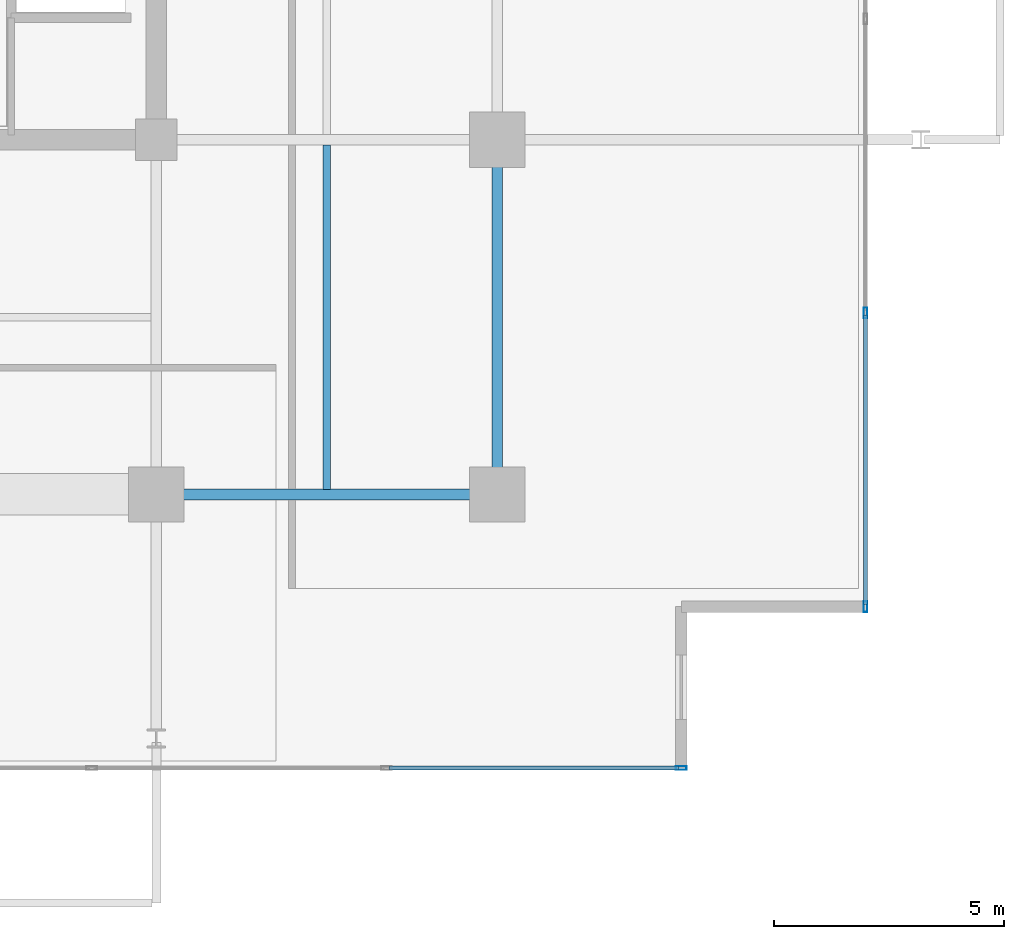
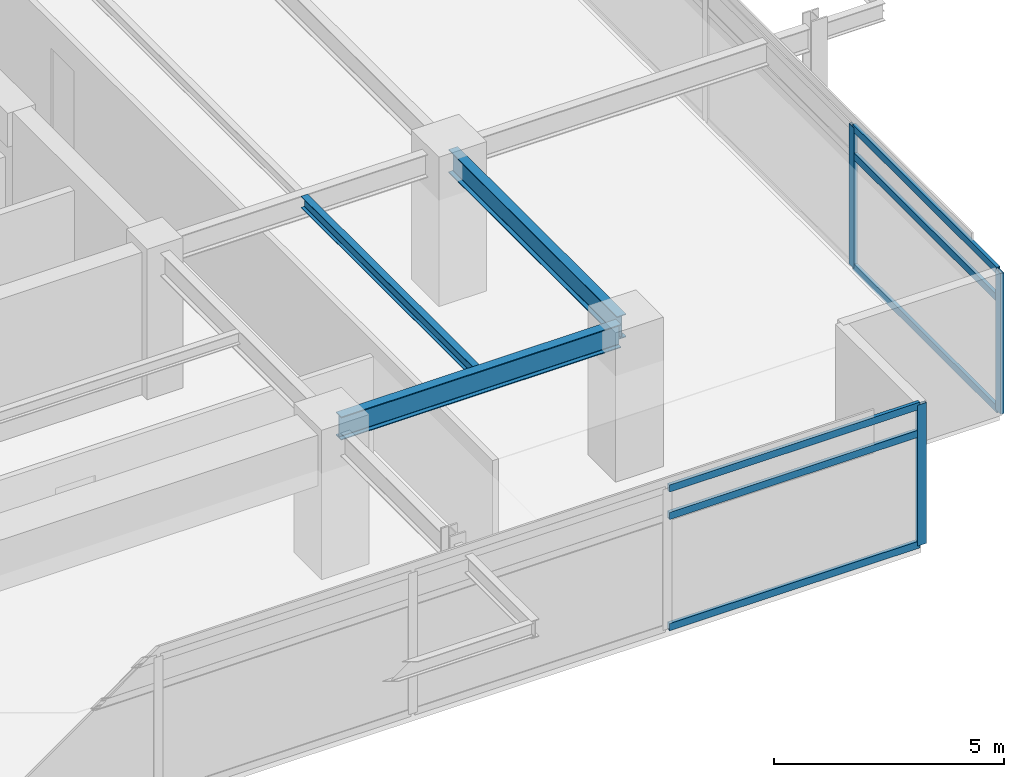
# One storey, part 6 of 19: 9 members, 3 beams, 2 elements without a shape of their own.
"""IFC4 building model written with IfcOpenShell, lengths in metres."""

import ifcopenshell
import ifcopenshell.guid

model = None  # the IFC model being written
_history = None  # IfcOwnerHistory: only IFC2X3 demands one
_inside = {}  # id of a spatial element -> (the spatial element, [elements in it])
_under = {}  # id of a project, library or spatial element -> (it, [spatial elements below it])
_declared = {}  # id of a project -> (the project, [libraries it declares])
_typed = {}  # id of a type object -> (the type object, [elements of that type])
_made_of = {}  # id of a material, layer set ... -> (it, [elements and type objects made of it])


def new_model(schema):
    """Start an empty IFC model of exactly this schema.

    Asked for "IFC4X3", IfcOpenShell would pick the latest addendum, in which some entities
    have other attributes; the version numbers below select the first issue.
    IFC2X3 requires an IfcOwnerHistory on every rooted entity: one is made here for all.
    """
    global model, _history
    if schema == "IFC4X3":
        model = ifcopenshell.file(schema_version=(4, 3, 0, 0))
    else:
        model = ifcopenshell.file(schema=schema)
    _inside.clear()
    _under.clear()
    _declared.clear()
    _typed.clear()
    _made_of.clear()
    _history = None
    if model.schema == "IFC2X3":
        org = make("IfcOrganization", Name="unknown")
        user = make(
            "IfcPersonAndOrganization",
            ThePerson=make("IfcPerson", FamilyName="unknown"),
            TheOrganization=org,
        )
        app = make(
            "IfcApplication",
            ApplicationDeveloper=org,
            Version="unknown",
            ApplicationFullName="unknown",
            ApplicationIdentifier="unknown",
        )
        _history = make(
            "IfcOwnerHistory",
            OwningUser=user,
            OwningApplication=app,
            ChangeAction="ADDED",
            CreationDate=0,
        )
    return model


def make(cls, **values):
    """One entity of the class cls with the attributes given. An attribute that is None is left unset."""
    return model.create_entity(
        cls, **{name: value for name, value in values.items() if value is not None}
    )


def rooted(cls, **values):
    """An entity with a GlobalId (a new one), such as an element, a storey or a relation."""
    return make(cls, GlobalId=ifcopenshell.guid.new(), OwnerHistory=_history, **values)


def si_unit(unit_type, name, prefix=None):
    """IfcSIUnit, for example si_unit("LENGTHUNIT", "METRE", prefix="MILLI")."""
    return make("IfcSIUnit", UnitType=unit_type, Prefix=prefix, Name=name)


def assignment(units):
    """IfcUnitAssignment: the units of a project."""
    return None if units is None else make("IfcUnitAssignment", Units=units)


def point(xyz):
    """IfcCartesianPoint."""
    return None if xyz is None else make("IfcCartesianPoint", Coordinates=xyz)


def direction(xyz):
    """IfcDirection."""
    return None if xyz is None else make("IfcDirection", DirectionRatios=xyz)


def frame(location, z_axis=None, x_axis=None):
    """IfcAxis2Placement3D, a coordinate frame: its origin and axes. An axis left out is left unset."""
    return make(
        "IfcAxis2Placement3D",
        Location=point(location),
        Axis=direction(z_axis),
        RefDirection=direction(x_axis),
    )


def frame_2d(location, x_axis=None):
    """IfcAxis2Placement2D, a coordinate frame in the plane: its origin and x axis."""
    return make(
        "IfcAxis2Placement2D", Location=point(location), RefDirection=direction(x_axis)
    )


def origin():
    """The frame at (0, 0, 0) with its axes left unset."""
    return frame((0.0, 0.0, 0.0))


def origin_2d():
    """The frame at (0, 0) in the plane with its x axis left unset."""
    return frame_2d((0.0, 0.0))


def place(relative_to, where):
    """IfcLocalPlacement: puts the frame where relative to a parent placement (None: the world)."""
    return make(
        "IfcLocalPlacement", PlacementRelTo=relative_to, RelativePlacement=where
    )


def context(
    kind, dimensions, precision=None, world=None, true_north=None, identifier=None
):
    """IfcGeometricRepresentationContext, for example the 3D "Model" context."""
    return make(
        "IfcGeometricRepresentationContext",
        ContextIdentifier=identifier,
        ContextType=kind,
        CoordinateSpaceDimension=dimensions,
        Precision=precision,
        WorldCoordinateSystem=world,
        TrueNorth=true_north,
    )


def subcontext(parent, identifier, kind, view, scale=None):
    """IfcGeometricRepresentationSubContext, for example "Body" below "Model"."""
    return make(
        "IfcGeometricRepresentationSubContext",
        ContextIdentifier=identifier,
        ContextType=kind,
        ParentContext=parent,
        TargetScale=scale,
        TargetView=view,
    )


def project(units=None, contexts=None):
    """IfcProject with its units and contexts."""
    return rooted(
        "IfcProject",
        Name="project",
        RepresentationContexts=contexts,
        UnitsInContext=assignment(units),
    )


def spatial(cls, under=None, at=None, **own):
    """A site, building, storey or space (cls), placed at a placement, below another one or the project."""
    s = rooted(cls, ObjectPlacement=at, **own)
    if under is not None:
        _under.setdefault(under.id(), (under, []))[1].append(s)
    return s


def profile(cls, at=None, kind="AREA", **sizes):
    """A parametric profile (cls). Its sizes go by their IFC names, for example OverallWidth=200.0."""
    return make(cls, ProfileType=kind, Position=at, **sizes)


def hollow_rectangle(**sizes):
    """IfcRectangleHollowProfileDef."""
    return profile("IfcRectangleHollowProfileDef", **sizes)


def i_section(**sizes):
    """IfcIShapeProfileDef."""
    return profile("IfcIShapeProfileDef", **sizes)


def extrude(swept, where, along, depth):
    """IfcExtrudedAreaSolid: the profile swept, set in the frame where, extruded along a direction by depth."""
    return make(
        "IfcExtrudedAreaSolid",
        SweptArea=swept,
        Position=where,
        ExtrudedDirection=direction(along),
        Depth=depth,
    )


def shape(context_of_items, identifier, shape_type, items):
    """IfcShapeRepresentation: the items that make up one representation, for example the "Body"."""
    return make(
        "IfcShapeRepresentation",
        ContextOfItems=context_of_items,
        RepresentationIdentifier=identifier,
        RepresentationType=shape_type,
        Items=items,
    )


def material(Name=None, Category=None):
    """IfcMaterial."""
    return make("IfcMaterial", Name=Name, Category=Category)


def material_profile(
    of_material, cross_section, Name=None, Category=None, Priority=None
):
    """IfcMaterialProfile: a cross section and its material."""
    return make(
        "IfcMaterialProfile",
        Name=Name,
        Material=of_material,
        Profile=cross_section,
        Priority=Priority,
        Category=Category,
    )


def profile_set(profiles, Name=None, composite=None):
    """IfcMaterialProfileSet."""
    return make(
        "IfcMaterialProfileSet",
        Name=Name,
        MaterialProfiles=profiles,
        CompositeProfile=composite,
    )


def made_of(thing, what):
    """Note that an element or type object is made of a material, layer set ...; save() writes the relation."""
    if what is not None:
        _made_of.setdefault(what.id(), (what, []))[1].append(thing)
    return thing


def type_object(cls, material=None, **own):
    """A type object (cls), such as IfcWallType, which elements share."""
    return made_of(rooted(cls, **own), material)


def element(
    cls,
    number,
    at=None,
    inside=None,
    cuts=None,
    type_object=None,
    material=None,
    context=None,
    identifier="Body",
    shape_type=None,
    held_by="IfcProductDefinitionShape",
    body=None,
    shapes=None,
    **own,
):
    """One element of the class cls, such as IfcWall. Its Tag is "e" and its number.

    at: its placement. inside: the storey or other place that contains it. cuts: it is an
    opening in that element (IfcRelVoidsElement). A single representation is given by context,
    identifier, shape_type and body (its items); several are given by shapes. held_by: the class
    of the entity that holds the representations. save() writes the other relations.
    """
    e = rooted(cls, Tag="e%d" % number, ObjectPlacement=at, **own)
    if body is not None:
        shapes = [shape(context, identifier, shape_type, body)]
    if shapes is not None:
        e.Representation = make(held_by, Representations=shapes)
    if inside is not None:
        _inside.setdefault(inside.id(), (inside, []))[1].append(e)
    if cuts is not None:
        rooted(
            "IfcRelVoidsElement", RelatingBuildingElement=cuts, RelatedOpeningElement=e
        )
    if type_object is not None:
        _typed.setdefault(type_object.id(), (type_object, []))[1].append(e)
    return made_of(e, material)


def aggregate(whole, parts):
    """IfcRelAggregates: a whole, such as a stair, and the parts it consists of."""
    return rooted("IfcRelAggregates", RelatingObject=whole, RelatedObjects=parts)


def save(model, path):
    """Write the relations noted so far, then the file.

    IfcRelAggregates (storeys below a building ...), IfcRelContainedInSpatialStructure (elements
    in a storey), IfcRelDefinesByType, IfcRelAssociatesMaterial and IfcRelDeclares: one each for
    every whole, place, type object, material and project.
    """
    for whole, parts in _under.values():
        aggregate(whole, parts)
    for where, things in _inside.values():
        rooted(
            "IfcRelContainedInSpatialStructure",
            RelatedElements=things,
            RelatingStructure=where,
        )
    for kind, things in _typed.values():
        rooted("IfcRelDefinesByType", RelatedObjects=things, RelatingType=kind)
    for what, things in _made_of.values():
        rooted("IfcRelAssociatesMaterial", RelatedObjects=things, RelatingMaterial=what)
    for by, libraries in _declared.values():
        rooted("IfcRelDeclares", RelatingContext=by, RelatedDefinitions=libraries)
    model.write(path)


model = new_model("IFC4")

# Units and contexts
model_context = context("Model", 3, precision=1e-05, world=origin(), true_north=direction((0.0, 1.0)))
body_context = subcontext(model_context, "Body", "Model", "MODEL_VIEW")
ifc_project = project(units=[si_unit("LENGTHUNIT", "METRE"), si_unit("AREAUNIT", "SQUARE_METRE"), si_unit("VOLUMEUNIT", "CUBIC_METRE"), si_unit("PLANEANGLEUNIT", "RADIAN"), si_unit("MASSUNIT", "GRAM", prefix="KILO")], contexts=[model_context])

# Site, building, storey
site_placement = place(None, origin())
site = spatial("IfcSite", under=ifc_project, at=site_placement, CompositionType="ELEMENT")
building_placement = place(site_placement, origin())
building = spatial("IfcBuilding", under=site, at=building_placement, Name="Kovane Verandah Tower", CompositionType="ELEMENT")
storey_placement = place(building_placement, frame((0.0, 0.0, 255.199951171875)))
storey = spatial("IfcBuildingStorey", under=building, at=storey_placement, Name="L59", CompositionType="ELEMENT", Elevation=255.199951171875)

# Beams
ifc_material_1 = material(Name="Steel S355", Category="steel")
ifc_material_profile_1 = material_profile(ifc_material_1, i_section(OverallWidth=0.230224609375, OverallDepth=0.6171875, WebThickness=0.01318359375, FlangeThickness=0.022216796875, FilletRadius=0.0126953125, at=origin_2d()), Name="UB610x229x140")
ifc_profile_set_1 = profile_set([ifc_material_profile_1], Name="Steel S355")
beam_type_1 = type_object("IfcBeamType", Name="BM-UB610x140", PredefinedType="BEAM", material=ifc_profile_set_1)
beam_1_placement = place(storey_placement, frame((51.179931640625, 10.800048828125, 3.4765625), z_axis=(1.0, 0.0, 0.0), x_axis=(0.0, 1.0, 0.0)))
element("IfcBeam", 1, at=beam_1_placement, inside=storey, type_object=beam_type_1, Name="L59 Primary Tower Girder G-RS3", PredefinedType="BEAM", context=body_context, shape_type="SweptSolid", body=[
    extrude(i_section(OverallWidth=0.230224609375, OverallDepth=0.6171875, WebThickness=0.01318359375, FlangeThickness=0.022216796875, FilletRadius=0.0126953125, at=origin_2d()), origin(), (0.0, 0.0, 1.0), 7.0400390625),
])
beam_2_placement = place(storey_placement, frame((58.39990234375, 10.97998046875, 3.4765625), z_axis=(0.0, 1.0, 0.0), x_axis=(-1.0, 0.0, 0.0)))
element("IfcBeam", 2, at=beam_2_placement, inside=storey, type_object=beam_type_1, Name="L59 Primary Tower Girder G-RE1", PredefinedType="BEAM", context=body_context, shape_type="SweptSolid", body=[
    extrude(i_section(OverallWidth=0.230224609375, OverallDepth=0.6171875, WebThickness=0.01318359375, FlangeThickness=0.022216796875, FilletRadius=0.0126953125, at=origin_2d()), origin(), (0.0, 0.0, 1.0), 7.340087890625),
])

# Curtain wall, member
ifc_material_2 = material(Name="Champagne Anodised Aluminium Frame with Low-E Clear Laminated Glass", Category="aluminium")
curtain_wall_type = type_object("IfcCurtainWallType", Name="CW-SYS-05-HIGH", PredefinedType="NOTDEFINED", material=ifc_material_2)
curtain_wall_1_placement = place(storey_placement, origin())
curtain_wall_1 = element("IfcCurtainWall", 3, at=curtain_wall_1_placement, inside=storey, type_object=curtain_wall_type, Name="L59 S Unitised Curtain Wall", PredefinedType="NOTDEFINED")
ifc_material_3 = material(Name="Champagne Anodised Aluminium 6063-T6", Category="aluminium")
ifc_material_profile_2 = material_profile(ifc_material_3, hollow_rectangle(XDim=0.0849609375, YDim=0.22998046875, WallThickness=0.00390625, at=origin_2d()), Name="AL85x230x4")
ifc_profile_set_2 = profile_set([ifc_material_profile_2], Name="Champagne Anodised Aluminium 6063-T6")
member_type_1 = type_object("IfcMemberType", Name="CW-MUL-85x230", PredefinedType="MULLION", material=ifc_profile_set_2)
member_1_placement = place(storey_placement, frame((62.396240234375, 4.8623046875, 0.02001953125), z_axis=(0.0, 0.0, 1.0), x_axis=(0.0, -1.0, 0.0)))
member_1 = element("IfcMember", 4, at=member_1_placement, type_object=member_type_1, Name="L59 S Unitised Curtain Wall Mullion 8", PredefinedType="MULLION", context=body_context, shape_type="SweptSolid", body=[
    extrude(hollow_rectangle(XDim=0.0849609375, YDim=0.22998046875, WallThickness=0.00390625, at=origin_2d()), origin(), (0.0, 0.0, 1.0), 3.7451171875),
])

# Curtain wall, members
curtain_wall_2_placement = place(storey_placement, origin())
curtain_wall_2 = element("IfcCurtainWall", 5, at=curtain_wall_2_placement, inside=storey, type_object=curtain_wall_type, Name="L59 E Unitised Curtain Wall", PredefinedType="NOTDEFINED")
member_2_placement = place(storey_placement, frame((66.396240234375, 8.3623046875, 0.02001953125), z_axis=(0.0, 0.0, 1.0), x_axis=(1.0, 0.0, 0.0)))
member_2 = element("IfcMember", 6, at=member_2_placement, type_object=member_type_1, Name="L59 E Unitised Curtain Wall Mullion 1", PredefinedType="MULLION", context=body_context, shape_type="SweptSolid", body=[
    extrude(hollow_rectangle(XDim=0.0849609375, YDim=0.22998046875, WallThickness=0.00390625, at=origin_2d()), origin(), (0.0, 0.0, 1.0), 3.7451171875),
])
member_3_placement = place(storey_placement, frame((66.396240234375, 14.74169921875, 0.02001953125), z_axis=(0.0, 0.0, 1.0), x_axis=(1.0, 0.0, 0.0)))
member_3 = element("IfcMember", 7, at=member_3_placement, type_object=member_type_1, Name="L59 E Unitised Curtain Wall Mullion 2", PredefinedType="MULLION", context=body_context, shape_type="SweptSolid", body=[
    extrude(hollow_rectangle(XDim=0.0849609375, YDim=0.22998046875, WallThickness=0.00390625, at=origin_2d()), origin(), (0.0, 0.0, 1.0), 3.7451171875),
])

# Member
ifc_material_profile_3 = material_profile(ifc_material_3, hollow_rectangle(XDim=0.0849609375, YDim=0.18994140625, WallThickness=0.00390625, at=origin_2d()), Name="AL85x190x4")
ifc_profile_set_3 = profile_set([ifc_material_profile_3], Name="Champagne Anodised Aluminium 6063-T6")
member_type_2 = type_object("IfcMemberType", Name="CW-TRN-85x190", PredefinedType="USERDEFINED", material=ifc_profile_set_3)
member_4_placement = place(storey_placement, frame((56.04736328125, 4.8623046875, 0.050048828125), z_axis=(1.0, 0.0, 0.0), x_axis=(0.0, 1.0, 0.0)))
member_4 = element("IfcMember", 8, at=member_4_placement, type_object=member_type_2, Name="L59 S Unitised Curtain Wall Transom TB Bay 7", ObjectType="TRANSOM", PredefinedType="USERDEFINED", context=body_context, shape_type="SweptSolid", body=[
    extrude(hollow_rectangle(XDim=0.0849609375, YDim=0.18994140625, WallThickness=0.00390625, at=origin_2d()), origin(), (0.0, 0.0, 1.0), 6.298828125),
])

member_5_placement = place(storey_placement, frame((56.04736328125, 4.8623046875, 3.005126953125), z_axis=(1.0, 0.0, 0.0), x_axis=(0.0, 1.0, 0.0)))
member_5 = element("IfcMember", 9, at=member_5_placement, type_object=member_type_2, Name="L59 S Unitised Curtain Wall Transom TM Bay 7", ObjectType="TRANSOM", PredefinedType="USERDEFINED", context=body_context, shape_type="SweptSolid", body=[
    extrude(hollow_rectangle(XDim=0.0849609375, YDim=0.18994140625, WallThickness=0.00390625, at=origin_2d()), origin(), (0.0, 0.0, 1.0), 6.298828125),
])

member_6_placement = place(storey_placement, frame((56.04736328125, 4.8623046875, 3.735107421875), z_axis=(1.0, 0.0, 0.0), x_axis=(0.0, 1.0, 0.0)))
member_6 = element("IfcMember", 10, at=member_6_placement, type_object=member_type_2, Name="L59 S Unitised Curtain Wall Transom TT Bay 7", ObjectType="TRANSOM", PredefinedType="USERDEFINED", context=body_context, shape_type="SweptSolid", body=[
    extrude(hollow_rectangle(XDim=0.0849609375, YDim=0.18994140625, WallThickness=0.00390625, at=origin_2d()), origin(), (0.0, 0.0, 1.0), 6.298828125),
])

aggregate(curtain_wall_1, [member_1, member_4, member_5, member_6])

member_7_placement = place(storey_placement, frame((66.396240234375, 8.412353515625, 0.050048828125), z_axis=(0.0, 1.0, 0.0), x_axis=(-1.0, 0.0, 0.0)))
member_7 = element("IfcMember", 11, at=member_7_placement, type_object=member_type_2, Name="L59 E Unitised Curtain Wall Transom TB Bay 1", ObjectType="TRANSOM", PredefinedType="USERDEFINED", context=body_context, shape_type="SweptSolid", body=[
    extrude(hollow_rectangle(XDim=0.0849609375, YDim=0.18994140625, WallThickness=0.00390625, at=origin_2d()), origin(), (0.0, 0.0, 1.0), 6.279296875),
])

member_8_placement = place(storey_placement, frame((66.396240234375, 8.412353515625, 3.005126953125), z_axis=(0.0, 1.0, 0.0), x_axis=(-1.0, 0.0, 0.0)))
member_8 = element("IfcMember", 12, at=member_8_placement, type_object=member_type_2, Name="L59 E Unitised Curtain Wall Transom TM Bay 1", ObjectType="TRANSOM", PredefinedType="USERDEFINED", context=body_context, shape_type="SweptSolid", body=[
    extrude(hollow_rectangle(XDim=0.0849609375, YDim=0.18994140625, WallThickness=0.00390625, at=origin_2d()), origin(), (0.0, 0.0, 1.0), 6.279296875),
])

member_9_placement = place(storey_placement, frame((66.396240234375, 8.412353515625, 3.735107421875), z_axis=(0.0, 1.0, 0.0), x_axis=(-1.0, 0.0, 0.0)))
member_9 = element("IfcMember", 13, at=member_9_placement, type_object=member_type_2, Name="L59 E Unitised Curtain Wall Transom TT Bay 1", ObjectType="TRANSOM", PredefinedType="USERDEFINED", context=body_context, shape_type="SweptSolid", body=[
    extrude(hollow_rectangle(XDim=0.0849609375, YDim=0.18994140625, WallThickness=0.00390625, at=origin_2d()), origin(), (0.0, 0.0, 1.0), 6.279296875),
])

aggregate(curtain_wall_2, [member_2, member_3, member_7, member_8, member_9])

# Beam
ifc_material_profile_4 = material_profile(ifc_material_1, i_section(OverallWidth=0.1669921875, OverallDepth=0.310302734375, WebThickness=0.0078125, FlangeThickness=0.013671875, FilletRadius=0.0087890625, at=origin_2d()), Name="UB305x165x54")
ifc_profile_set_4 = profile_set([ifc_material_profile_4], Name="Steel S355")
beam_type_2 = type_object("IfcBeamType", Name="JST-UB305x54", PredefinedType="JOIST", material=ifc_profile_set_4)
beam_3_placement = place(storey_placement, frame((54.699951171875, 10.9130859375, 3.6298828125), z_axis=(0.0, 1.0, 0.0), x_axis=(-1.0, 0.0, 0.0)))
element("IfcBeam", 14, at=beam_3_placement, inside=storey, type_object=beam_type_2, Name="L59 Secondary Composite Joist J-SE1", PredefinedType="JOIST", context=body_context, shape_type="SweptSolid", body=[
    extrude(i_section(OverallWidth=0.1669921875, OverallDepth=0.310302734375, WebThickness=0.0078125, FlangeThickness=0.013671875, FilletRadius=0.0087890625, at=origin_2d()), origin(), (0.0, 0.0, 1.0), 7.473876953125),
])

save(model, "model.ifc")
